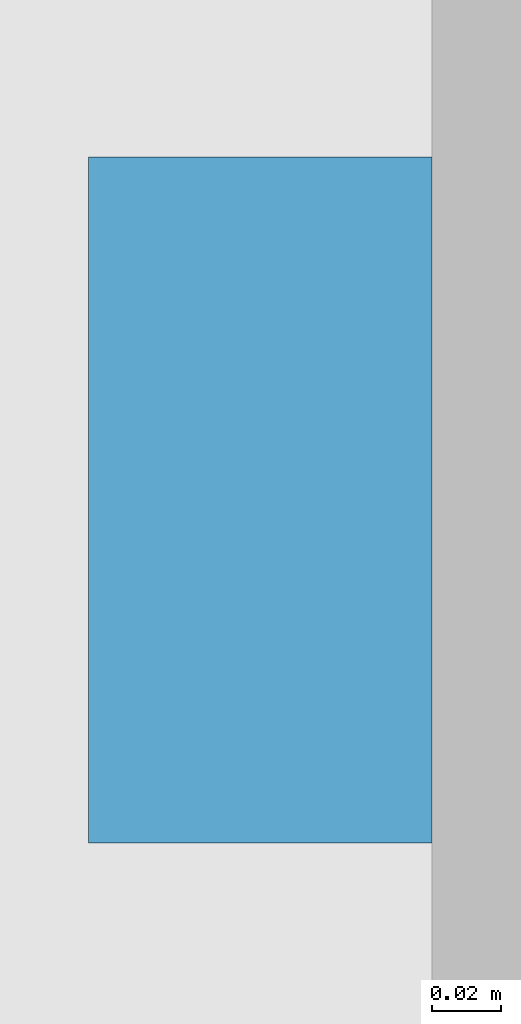
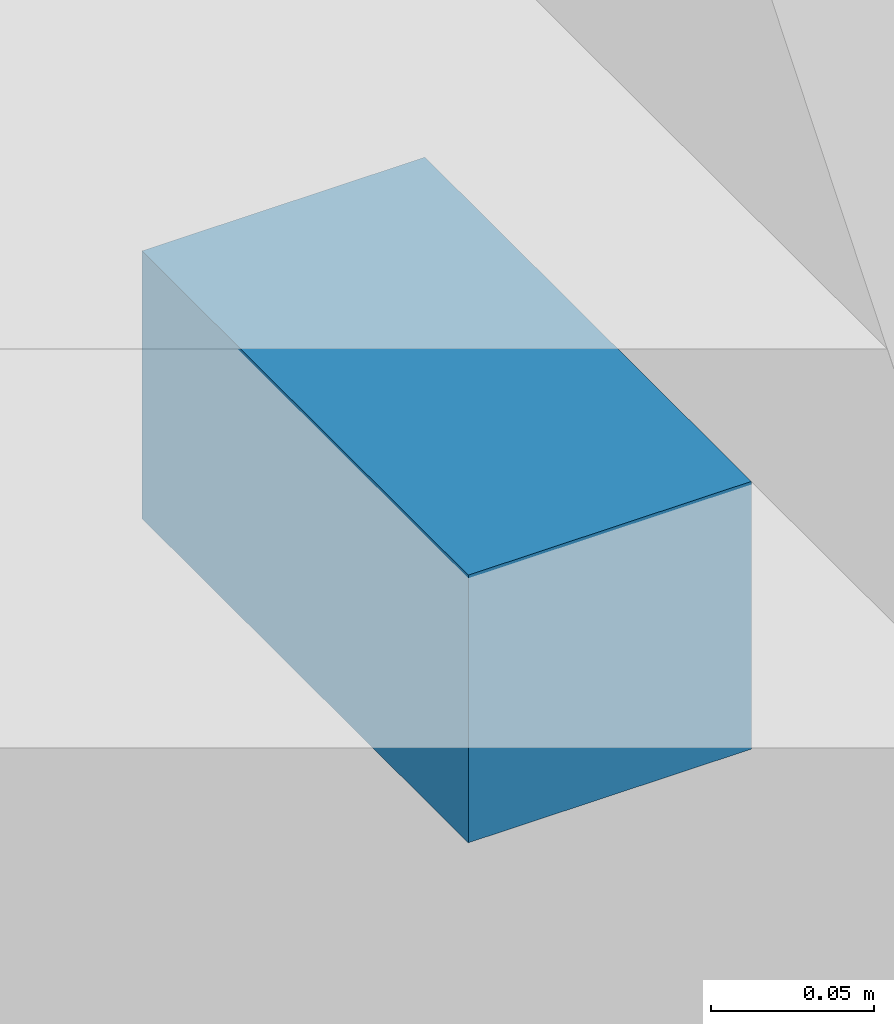
# One storey, part 15 of 17: 1 discrete accessory.
"""IFC4 building model written with IfcOpenShell, lengths in metres."""

from ifc_helpers import new_model, si_unit, direction, frame, origin, origin_2d, place, context, subcontext, project, spatial, rectangle, extrude, element, save


model = new_model("IFC4")

# Units and contexts
model_context = context("Model", 3, precision=1e-05, world=origin(), true_north=direction((0.0, 1.0)))
body_context = subcontext(model_context, "Body", "Model", "MODEL_VIEW")
ifc_project = project(units=[si_unit("LENGTHUNIT", "METRE"), si_unit("AREAUNIT", "SQUARE_METRE"), si_unit("VOLUMEUNIT", "CUBIC_METRE"), si_unit("PLANEANGLEUNIT", "RADIAN"), si_unit("MASSUNIT", "GRAM", prefix="KILO")], contexts=[model_context])

# Site, building, storey
site_placement = place(None, origin())
site = spatial("IfcSite", under=ifc_project, at=site_placement, CompositionType="ELEMENT")
building_placement = place(site_placement, origin())
building = spatial("IfcBuilding", under=site, at=building_placement, Name="Calvaro Tower", CompositionType="ELEMENT")
storey_placement = place(building_placement, frame((0.0, 0.0, 196.75)))
storey = spatial("IfcBuildingStorey", under=building, at=storey_placement, Name="L49", CompositionType="ELEMENT", Elevation=196.75)

# Discrete accessory
discrete_accessory_placement = place(storey_placement, frame((65.5, 3.60009765625, 2.349853515625), z_axis=(0.0, 0.0, 1.0), x_axis=(1.0, 0.0, 0.0)))
element("IfcDiscreteAccessory", 1, at=discrete_accessory_placement, inside=storey, Name="Brise-soleil bracket", PredefinedType="BRACKET", context=body_context, shape_type="SweptSolid", body=[
    extrude(rectangle(XDim=0.10009765625, YDim=0.199951171875, at=origin_2d()), origin(), (0.0, 0.0, 1.0), 0.10009765625),
])

save(model, "model.ifc")
